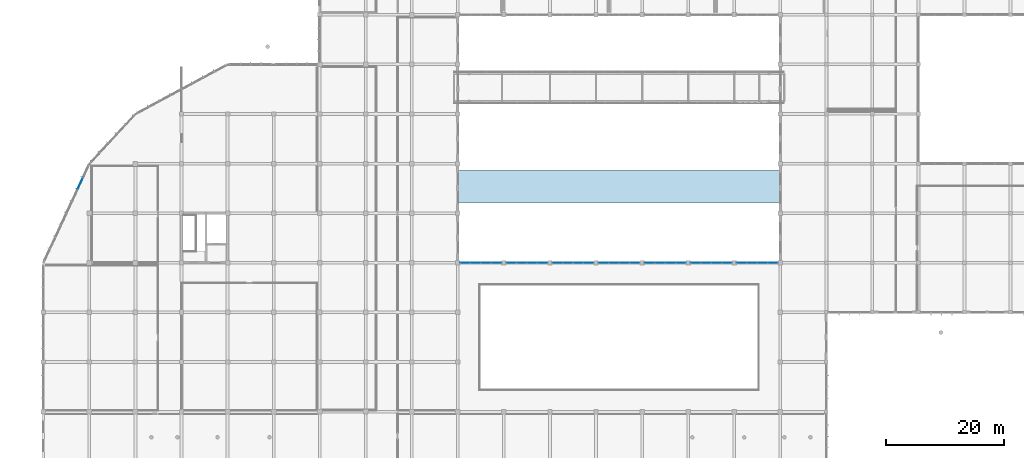
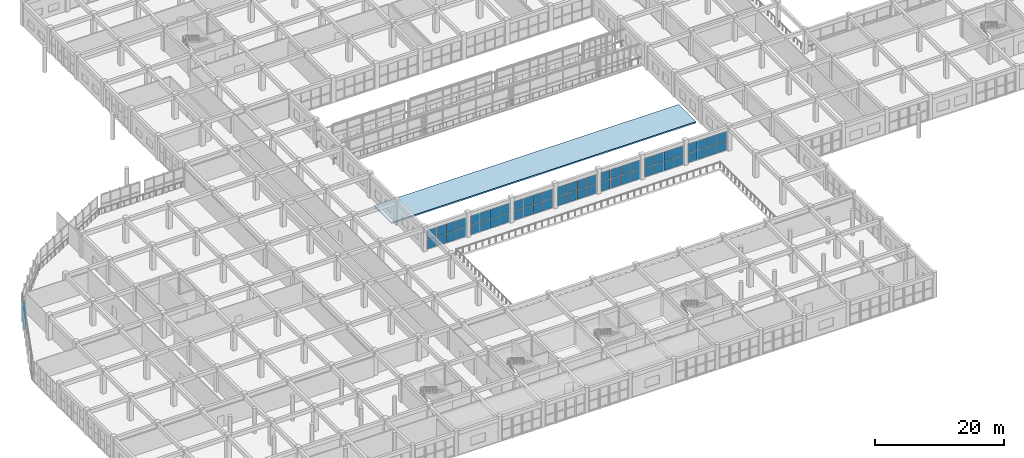
# One storey, part 132 of 167: 58 plates, 1 slab, 8 elements without a shape of their own.
"""IFC4 building model written with IfcOpenShell, lengths in metres."""

import ifcopenshell
import ifcopenshell.guid

model = None  # the IFC model being written
_history = None  # IfcOwnerHistory: only IFC2X3 demands one
_inside = {}  # id of a spatial element -> (the spatial element, [elements in it])
_under = {}  # id of a project, library or spatial element -> (it, [spatial elements below it])
_declared = {}  # id of a project -> (the project, [libraries it declares])
_typed = {}  # id of a type object -> (the type object, [elements of that type])
_made_of = {}  # id of a material, layer set ... -> (it, [elements and type objects made of it])


def new_model(schema):
    """Start an empty IFC model of exactly this schema.

    Asked for "IFC4X3", IfcOpenShell would pick the latest addendum, in which some entities
    have other attributes; the version numbers below select the first issue.
    IFC2X3 requires an IfcOwnerHistory on every rooted entity: one is made here for all.
    """
    global model, _history
    if schema == "IFC4X3":
        model = ifcopenshell.file(schema_version=(4, 3, 0, 0))
    else:
        model = ifcopenshell.file(schema=schema)
    _inside.clear()
    _under.clear()
    _declared.clear()
    _typed.clear()
    _made_of.clear()
    _history = None
    if model.schema == "IFC2X3":
        org = make("IfcOrganization", Name="unknown")
        user = make(
            "IfcPersonAndOrganization",
            ThePerson=make("IfcPerson", FamilyName="unknown"),
            TheOrganization=org,
        )
        app = make(
            "IfcApplication",
            ApplicationDeveloper=org,
            Version="unknown",
            ApplicationFullName="unknown",
            ApplicationIdentifier="unknown",
        )
        _history = make(
            "IfcOwnerHistory",
            OwningUser=user,
            OwningApplication=app,
            ChangeAction="ADDED",
            CreationDate=0,
        )
    return model


def make(cls, **values):
    """One entity of the class cls with the attributes given. An attribute that is None is left unset."""
    return model.create_entity(
        cls, **{name: value for name, value in values.items() if value is not None}
    )


def rooted(cls, **values):
    """An entity with a GlobalId (a new one), such as an element, a storey or a relation."""
    return make(cls, GlobalId=ifcopenshell.guid.new(), OwnerHistory=_history, **values)


def si_unit(unit_type, name, prefix=None):
    """IfcSIUnit, for example si_unit("LENGTHUNIT", "METRE", prefix="MILLI")."""
    return make("IfcSIUnit", UnitType=unit_type, Prefix=prefix, Name=name)


def assignment(units):
    """IfcUnitAssignment: the units of a project."""
    return None if units is None else make("IfcUnitAssignment", Units=units)


def point(xyz):
    """IfcCartesianPoint."""
    return None if xyz is None else make("IfcCartesianPoint", Coordinates=xyz)


def direction(xyz):
    """IfcDirection."""
    return None if xyz is None else make("IfcDirection", DirectionRatios=xyz)


def frame(location, z_axis=None, x_axis=None):
    """IfcAxis2Placement3D, a coordinate frame: its origin and axes. An axis left out is left unset."""
    return make(
        "IfcAxis2Placement3D",
        Location=point(location),
        Axis=direction(z_axis),
        RefDirection=direction(x_axis),
    )


def frame_2d(location, x_axis=None):
    """IfcAxis2Placement2D, a coordinate frame in the plane: its origin and x axis."""
    return make(
        "IfcAxis2Placement2D", Location=point(location), RefDirection=direction(x_axis)
    )


def origin():
    """The frame at (0, 0, 0) with its axes left unset."""
    return frame((0.0, 0.0, 0.0))


def origin_2d():
    """The frame at (0, 0) in the plane with its x axis left unset."""
    return frame_2d((0.0, 0.0))


def place(relative_to, where):
    """IfcLocalPlacement: puts the frame where relative to a parent placement (None: the world)."""
    return make(
        "IfcLocalPlacement", PlacementRelTo=relative_to, RelativePlacement=where
    )


def context(
    kind, dimensions, precision=None, world=None, true_north=None, identifier=None
):
    """IfcGeometricRepresentationContext, for example the 3D "Model" context."""
    return make(
        "IfcGeometricRepresentationContext",
        ContextIdentifier=identifier,
        ContextType=kind,
        CoordinateSpaceDimension=dimensions,
        Precision=precision,
        WorldCoordinateSystem=world,
        TrueNorth=true_north,
    )


def subcontext(parent, identifier, kind, view, scale=None):
    """IfcGeometricRepresentationSubContext, for example "Body" below "Model"."""
    return make(
        "IfcGeometricRepresentationSubContext",
        ContextIdentifier=identifier,
        ContextType=kind,
        ParentContext=parent,
        TargetScale=scale,
        TargetView=view,
    )


def project(units=None, contexts=None):
    """IfcProject with its units and contexts."""
    return rooted(
        "IfcProject",
        Name="project",
        RepresentationContexts=contexts,
        UnitsInContext=assignment(units),
    )


def spatial(cls, under=None, at=None, **own):
    """A site, building, storey or space (cls), placed at a placement, below another one or the project."""
    s = rooted(cls, ObjectPlacement=at, **own)
    if under is not None:
        _under.setdefault(under.id(), (under, []))[1].append(s)
    return s


def polyline(points):
    """IfcPolyline through the points."""
    return make("IfcPolyline", Points=[point(p) for p in points])


def profile(cls, at=None, kind="AREA", **sizes):
    """A parametric profile (cls). Its sizes go by their IFC names, for example OverallWidth=200.0."""
    return make(cls, ProfileType=kind, Position=at, **sizes)


def rectangle(**sizes):
    """IfcRectangleProfileDef."""
    return profile("IfcRectangleProfileDef", **sizes)


def outline(outer, holes=None, kind="AREA"):
    """IfcArbitraryClosedProfileDef: a profile drawn as a closed curve; with holes, ...WithVoids."""
    if holes is None:
        return make("IfcArbitraryClosedProfileDef", ProfileType=kind, OuterCurve=outer)
    return make(
        "IfcArbitraryProfileDefWithVoids",
        ProfileType=kind,
        OuterCurve=outer,
        InnerCurves=holes,
    )


def extrude(swept, where, along, depth):
    """IfcExtrudedAreaSolid: the profile swept, set in the frame where, extruded along a direction by depth."""
    return make(
        "IfcExtrudedAreaSolid",
        SweptArea=swept,
        Position=where,
        ExtrudedDirection=direction(along),
        Depth=depth,
    )


def shape(context_of_items, identifier, shape_type, items):
    """IfcShapeRepresentation: the items that make up one representation, for example the "Body"."""
    return make(
        "IfcShapeRepresentation",
        ContextOfItems=context_of_items,
        RepresentationIdentifier=identifier,
        RepresentationType=shape_type,
        Items=items,
    )


def material(Name=None, Category=None):
    """IfcMaterial."""
    return make("IfcMaterial", Name=Name, Category=Category)


def layer(
    of_material, thickness, ventilated=None, Name=None, Category=None, Priority=None
):
    """IfcMaterialLayer: one layer of a wall or slab, of a material (None: an air gap)."""
    return make(
        "IfcMaterialLayer",
        Material=of_material,
        LayerThickness=thickness,
        IsVentilated=ventilated,
        Name=Name,
        Category=Category,
        Priority=Priority,
    )


def layer_set(layers, Name=None):
    """IfcMaterialLayerSet."""
    return make("IfcMaterialLayerSet", MaterialLayers=layers, LayerSetName=Name)


def made_of(thing, what):
    """Note that an element or type object is made of a material, layer set ...; save() writes the relation."""
    if what is not None:
        _made_of.setdefault(what.id(), (what, []))[1].append(thing)
    return thing


def type_object(cls, material=None, **own):
    """A type object (cls), such as IfcWallType, which elements share."""
    return made_of(rooted(cls, **own), material)


def element(
    cls,
    number,
    at=None,
    inside=None,
    cuts=None,
    type_object=None,
    material=None,
    context=None,
    identifier="Body",
    shape_type=None,
    held_by="IfcProductDefinitionShape",
    body=None,
    shapes=None,
    **own,
):
    """One element of the class cls, such as IfcWall. Its Tag is "e" and its number.

    at: its placement. inside: the storey or other place that contains it. cuts: it is an
    opening in that element (IfcRelVoidsElement). A single representation is given by context,
    identifier, shape_type and body (its items); several are given by shapes. held_by: the class
    of the entity that holds the representations. save() writes the other relations.
    """
    e = rooted(cls, Tag="e%d" % number, ObjectPlacement=at, **own)
    if body is not None:
        shapes = [shape(context, identifier, shape_type, body)]
    if shapes is not None:
        e.Representation = make(held_by, Representations=shapes)
    if inside is not None:
        _inside.setdefault(inside.id(), (inside, []))[1].append(e)
    if cuts is not None:
        rooted(
            "IfcRelVoidsElement", RelatingBuildingElement=cuts, RelatedOpeningElement=e
        )
    if type_object is not None:
        _typed.setdefault(type_object.id(), (type_object, []))[1].append(e)
    return made_of(e, material)


def aggregate(whole, parts):
    """IfcRelAggregates: a whole, such as a stair, and the parts it consists of."""
    return rooted("IfcRelAggregates", RelatingObject=whole, RelatedObjects=parts)


def save(model, path):
    """Write the relations noted so far, then the file.

    IfcRelAggregates (storeys below a building ...), IfcRelContainedInSpatialStructure (elements
    in a storey), IfcRelDefinesByType, IfcRelAssociatesMaterial and IfcRelDeclares: one each for
    every whole, place, type object, material and project.
    """
    for whole, parts in _under.values():
        aggregate(whole, parts)
    for where, things in _inside.values():
        rooted(
            "IfcRelContainedInSpatialStructure",
            RelatedElements=things,
            RelatingStructure=where,
        )
    for kind, things in _typed.values():
        rooted("IfcRelDefinesByType", RelatedObjects=things, RelatingType=kind)
    for what, things in _made_of.values():
        rooted("IfcRelAssociatesMaterial", RelatedObjects=things, RelatingMaterial=what)
    for by, libraries in _declared.values():
        rooted("IfcRelDeclares", RelatingContext=by, RelatedDefinitions=libraries)
    model.write(path)


model = new_model("IFC4")

# Units and contexts
model_context = context("Model", 3, precision=1e-05, world=origin(), true_north=direction((0.0, 1.0)))
body_context = subcontext(model_context, "Body", "Model", "MODEL_VIEW")
ifc_project = project(units=[si_unit("LENGTHUNIT", "METRE"), si_unit("AREAUNIT", "SQUARE_METRE"), si_unit("VOLUMEUNIT", "CUBIC_METRE"), si_unit("PLANEANGLEUNIT", "RADIAN"), si_unit("MASSUNIT", "GRAM", prefix="KILO")], contexts=[model_context])

# Site, building, storey
site_placement = place(None, origin())
site = spatial("IfcSite", under=ifc_project, at=site_placement, CompositionType="ELEMENT")
building_placement = place(site_placement, origin())
building = spatial("IfcBuilding", under=site, at=building_placement, Name="Zizhar Promenade General Hospital", CompositionType="ELEMENT")
storey_placement = place(building_placement, frame((0.0, 0.0, 9.60009765625)))
storey = spatial("IfcBuildingStorey", under=building, at=storey_placement, Name="L02", CompositionType="ELEMENT", Elevation=9.60009765625)

# Curtain wall, plates
ifc_material_1 = material(Name="Anodised aluminium 6063-T6 and low-E glass", Category="aluminium")
ifc_layer_1 = layer(ifc_material_1, 0.159912109375)
ifc_layer_set_1 = layer_set([ifc_layer_1], Name="Anodised aluminium 6063-T6 and low-E glass")
curtain_wall_type_1 = type_object("IfcCurtainWallType", Name="CW-DT-MOD2", PredefinedType="NOTDEFINED", material=ifc_layer_set_1)
curtain_wall_1_placement = place(storey_placement, origin())
curtain_wall_1 = element("IfcCurtainWall", 1, at=curtain_wall_1_placement, inside=storey, type_object=curtain_wall_type_1, Name="West Diagnostic Arm Glazed Curtain Wall L02-NW1", PredefinedType="NOTDEFINED")
ifc_material_2 = material(Name="Low-E solar-control glass", Category="glass")
ifc_layer_2 = layer(ifc_material_2, 0.031982421875)
ifc_layer_set_2 = layer_set([ifc_layer_2], Name="Low-E solar-control glass")
plate_type = type_object("IfcPlateType", Name="CWP-GLZ-32", PredefinedType="CURTAIN_PANEL", material=ifc_layer_set_2)
plate_1_placement = place(storey_placement, frame((6.237548828125, 63.83447265625, 0.06005859375), z_axis=(0.0, 0.0, 1.0), x_axis=(0.421114945486, 0.907007278189, 0.0)))
plate_1 = element("IfcPlate", 2, at=plate_1_placement, type_object=plate_type, Name="CW-08 panel 7.1", PredefinedType="CURTAIN_PANEL", context=body_context, shape_type="SweptSolid", body=[
    extrude(rectangle(XDim=2.140380859375, YDim=0.031982421875, at=origin_2d()), origin(), (0.0, 0.0, 1.0), 1.77490234375),
])
plate_2_placement = place(storey_placement, frame((6.237548828125, 63.83447265625, 1.89501953125), z_axis=(0.0, 0.0, 1.0), x_axis=(0.421114945486, 0.907007278189, 0.0)))
plate_2 = element("IfcPlate", 3, at=plate_2_placement, type_object=plate_type, Name="CW-08 panel 7.2", PredefinedType="CURTAIN_PANEL", context=body_context, shape_type="SweptSolid", body=[
    extrude(rectangle(XDim=2.140380859375, YDim=0.031982421875, at=origin_2d()), origin(), (0.0, 0.0, 1.0), 1.77490234375),
])
aggregate(curtain_wall_1, [plate_1, plate_2])

ifc_material_3 = material(Name="Anodised aluminium 6063-T6 and low-E glass", Category="aluminium")
ifc_layer_3 = layer(ifc_material_3, 0.159912109375)
ifc_layer_set_3 = layer_set([ifc_layer_3], Name="Anodised aluminium 6063-T6 and low-E glass")
curtain_wall_type_2 = type_object("IfcCurtainWallType", Name="CW-HALL-N", PredefinedType="NOTDEFINED", material=ifc_layer_set_3)
curtain_wall_2_placement = place(storey_placement, origin())
curtain_wall_2 = element("IfcCurtainWall", 4, at=curtain_wall_2_placement, inside=storey, type_object=curtain_wall_type_2, Name="Main Hall Courtyard Curtain Wall L02-9", PredefinedType="NOTDEFINED")
plate_3_placement = place(storey_placement, frame((71.465087890625, 50.39990234375, 0.06005859375), z_axis=(0.0, 0.0, 1.0), x_axis=(1.0, 0.0, 0.0)))
plate_3 = element("IfcPlate", 5, at=plate_3_placement, type_object=plate_type, Name="CW-02 panel 1.1", PredefinedType="CURTAIN_PANEL", context=body_context, shape_type="SweptSolid", body=[
    extrude(rectangle(XDim=1.64990234375, YDim=0.031982421875, at=origin_2d()), origin(), (0.0, 0.0, 1.0), 1.77490234375),
])
plate_4_placement = place(storey_placement, frame((71.465087890625, 50.39990234375, 1.89501953125), z_axis=(0.0, 0.0, 1.0), x_axis=(1.0, 0.0, 0.0)))
plate_4 = element("IfcPlate", 6, at=plate_4_placement, type_object=plate_type, Name="CW-02 panel 1.2", PredefinedType="CURTAIN_PANEL", context=body_context, shape_type="SweptSolid", body=[
    extrude(rectangle(XDim=1.64990234375, YDim=0.031982421875, at=origin_2d()), origin(), (0.0, 0.0, 1.0), 1.77490234375),
])
plate_5_placement = place(storey_placement, frame((73.215087890625, 50.39990234375, 0.06005859375), z_axis=(0.0, 0.0, 1.0), x_axis=(1.0, 0.0, 0.0)))
plate_5 = element("IfcPlate", 7, at=plate_5_placement, type_object=plate_type, Name="CW-02 panel 2.1", PredefinedType="CURTAIN_PANEL", context=body_context, shape_type="SweptSolid", body=[
    extrude(rectangle(XDim=1.68994140625, YDim=0.031982421875, at=origin_2d()), origin(), (0.0, 0.0, 1.0), 1.77490234375),
])
plate_6_placement = place(storey_placement, frame((73.215087890625, 50.39990234375, 1.89501953125), z_axis=(0.0, 0.0, 1.0), x_axis=(1.0, 0.0, 0.0)))
plate_6 = element("IfcPlate", 8, at=plate_6_placement, type_object=plate_type, Name="CW-02 panel 2.2", PredefinedType="CURTAIN_PANEL", context=body_context, shape_type="SweptSolid", body=[
    extrude(rectangle(XDim=1.68994140625, YDim=0.031982421875, at=origin_2d()), origin(), (0.0, 0.0, 1.0), 1.77490234375),
])
plate_7_placement = place(storey_placement, frame((74.985107421875, 50.39990234375, 0.06005859375), z_axis=(0.0, 0.0, 1.0), x_axis=(1.0, 0.0, 0.0)))
plate_7 = element("IfcPlate", 9, at=plate_7_placement, type_object=plate_type, Name="CW-02 panel 3.1", PredefinedType="CURTAIN_PANEL", context=body_context, shape_type="SweptSolid", body=[
    extrude(rectangle(XDim=1.68994140625, YDim=0.031982421875, at=origin_2d()), origin(), (0.0, 0.0, 1.0), 1.77490234375),
])
plate_8_placement = place(storey_placement, frame((74.985107421875, 50.39990234375, 1.89501953125), z_axis=(0.0, 0.0, 1.0), x_axis=(1.0, 0.0, 0.0)))
plate_8 = element("IfcPlate", 10, at=plate_8_placement, type_object=plate_type, Name="CW-02 panel 3.2", PredefinedType="CURTAIN_PANEL", context=body_context, shape_type="SweptSolid", body=[
    extrude(rectangle(XDim=1.68994140625, YDim=0.031982421875, at=origin_2d()), origin(), (0.0, 0.0, 1.0), 1.77490234375),
])
plate_9_placement = place(storey_placement, frame((76.735107421875, 50.39990234375, 0.06005859375), z_axis=(0.0, 0.0, 1.0), x_axis=(1.0, 0.0, 0.0)))
plate_9 = element("IfcPlate", 11, at=plate_9_placement, type_object=plate_type, Name="CW-02 panel 4.1", PredefinedType="CURTAIN_PANEL", context=body_context, shape_type="SweptSolid", body=[
    extrude(rectangle(XDim=1.64990234375, YDim=0.031982421875, at=origin_2d()), origin(), (0.0, 0.0, 1.0), 1.77490234375),
])
plate_10_placement = place(storey_placement, frame((76.735107421875, 50.39990234375, 1.89501953125), z_axis=(0.0, 0.0, 1.0), x_axis=(1.0, 0.0, 0.0)))
plate_10 = element("IfcPlate", 12, at=plate_10_placement, type_object=plate_type, Name="CW-02 panel 4.2", PredefinedType="CURTAIN_PANEL", context=body_context, shape_type="SweptSolid", body=[
    extrude(rectangle(XDim=1.64990234375, YDim=0.031982421875, at=origin_2d()), origin(), (0.0, 0.0, 1.0), 1.77490234375),
])
aggregate(curtain_wall_2, [plate_3, plate_4, plate_5, plate_6, plate_7, plate_8, plate_9, plate_10])

curtain_wall_3_placement = place(storey_placement, origin())
curtain_wall_3 = element("IfcCurtainWall", 13, at=curtain_wall_3_placement, inside=storey, type_object=curtain_wall_type_2, Name="Main Hall Courtyard Curtain Wall L02-10", PredefinedType="NOTDEFINED")
plate_11_placement = place(storey_placement, frame((79.264892578125, 50.39990234375, 0.06005859375), z_axis=(0.0, 0.0, 1.0), x_axis=(1.0, 0.0, 0.0)))
plate_11 = element("IfcPlate", 14, at=plate_11_placement, type_object=plate_type, Name="CW-02 panel 1.1", PredefinedType="CURTAIN_PANEL", context=body_context, shape_type="SweptSolid", body=[
    extrude(rectangle(XDim=1.64990234375, YDim=0.031982421875, at=origin_2d()), origin(), (0.0, 0.0, 1.0), 1.77490234375),
])
plate_12_placement = place(storey_placement, frame((79.264892578125, 50.39990234375, 1.89501953125), z_axis=(0.0, 0.0, 1.0), x_axis=(1.0, 0.0, 0.0)))
plate_12 = element("IfcPlate", 15, at=plate_12_placement, type_object=plate_type, Name="CW-02 panel 1.2", PredefinedType="CURTAIN_PANEL", context=body_context, shape_type="SweptSolid", body=[
    extrude(rectangle(XDim=1.64990234375, YDim=0.031982421875, at=origin_2d()), origin(), (0.0, 0.0, 1.0), 1.77490234375),
])
plate_13_placement = place(storey_placement, frame((81.014892578125, 50.39990234375, 0.06005859375), z_axis=(0.0, 0.0, 1.0), x_axis=(1.0, 0.0, 0.0)))
plate_13 = element("IfcPlate", 16, at=plate_13_placement, type_object=plate_type, Name="CW-02 panel 2.1", PredefinedType="CURTAIN_PANEL", context=body_context, shape_type="SweptSolid", body=[
    extrude(rectangle(XDim=1.68994140625, YDim=0.031982421875, at=origin_2d()), origin(), (0.0, 0.0, 1.0), 1.77490234375),
])
plate_14_placement = place(storey_placement, frame((81.014892578125, 50.39990234375, 1.89501953125), z_axis=(0.0, 0.0, 1.0), x_axis=(1.0, 0.0, 0.0)))
plate_14 = element("IfcPlate", 17, at=plate_14_placement, type_object=plate_type, Name="CW-02 panel 2.2", PredefinedType="CURTAIN_PANEL", context=body_context, shape_type="SweptSolid", body=[
    extrude(rectangle(XDim=1.68994140625, YDim=0.031982421875, at=origin_2d()), origin(), (0.0, 0.0, 1.0), 1.77490234375),
])
plate_15_placement = place(storey_placement, frame((82.784912109375, 50.39990234375, 0.06005859375), z_axis=(0.0, 0.0, 1.0), x_axis=(1.0, 0.0, 0.0)))
plate_15 = element("IfcPlate", 18, at=plate_15_placement, type_object=plate_type, Name="CW-02 panel 3.1", PredefinedType="CURTAIN_PANEL", context=body_context, shape_type="SweptSolid", body=[
    extrude(rectangle(XDim=1.68994140625, YDim=0.031982421875, at=origin_2d()), origin(), (0.0, 0.0, 1.0), 1.77490234375),
])
plate_16_placement = place(storey_placement, frame((82.784912109375, 50.39990234375, 1.89501953125), z_axis=(0.0, 0.0, 1.0), x_axis=(1.0, 0.0, 0.0)))
plate_16 = element("IfcPlate", 19, at=plate_16_placement, type_object=plate_type, Name="CW-02 panel 3.2", PredefinedType="CURTAIN_PANEL", context=body_context, shape_type="SweptSolid", body=[
    extrude(rectangle(XDim=1.68994140625, YDim=0.031982421875, at=origin_2d()), origin(), (0.0, 0.0, 1.0), 1.77490234375),
])
plate_17_placement = place(storey_placement, frame((84.534912109375, 50.39990234375, 0.06005859375), z_axis=(0.0, 0.0, 1.0), x_axis=(1.0, 0.0, 0.0)))
plate_17 = element("IfcPlate", 20, at=plate_17_placement, type_object=plate_type, Name="CW-02 panel 4.1", PredefinedType="CURTAIN_PANEL", context=body_context, shape_type="SweptSolid", body=[
    extrude(rectangle(XDim=1.64990234375, YDim=0.031982421875, at=origin_2d()), origin(), (0.0, 0.0, 1.0), 1.77490234375),
])
plate_18_placement = place(storey_placement, frame((84.534912109375, 50.39990234375, 1.89501953125), z_axis=(0.0, 0.0, 1.0), x_axis=(1.0, 0.0, 0.0)))
plate_18 = element("IfcPlate", 21, at=plate_18_placement, type_object=plate_type, Name="CW-02 panel 4.2", PredefinedType="CURTAIN_PANEL", context=body_context, shape_type="SweptSolid", body=[
    extrude(rectangle(XDim=1.64990234375, YDim=0.031982421875, at=origin_2d()), origin(), (0.0, 0.0, 1.0), 1.77490234375),
])
aggregate(curtain_wall_3, [plate_11, plate_12, plate_13, plate_14, plate_15, plate_16, plate_17, plate_18])

curtain_wall_4_placement = place(storey_placement, origin())
curtain_wall_4 = element("IfcCurtainWall", 22, at=curtain_wall_4_placement, inside=storey, type_object=curtain_wall_type_2, Name="Main Hall Courtyard Curtain Wall L02-11", PredefinedType="NOTDEFINED")
plate_19_placement = place(storey_placement, frame((87.06494140625, 50.39990234375, 0.06005859375), z_axis=(0.0, 0.0, 1.0), x_axis=(1.0, 0.0, 0.0)))
plate_19 = element("IfcPlate", 23, at=plate_19_placement, type_object=plate_type, Name="CW-02 panel 1.1", PredefinedType="CURTAIN_PANEL", context=body_context, shape_type="SweptSolid", body=[
    extrude(rectangle(XDim=1.64990234375, YDim=0.031982421875, at=origin_2d()), origin(), (0.0, 0.0, 1.0), 1.77490234375),
])
plate_20_placement = place(storey_placement, frame((87.06494140625, 50.39990234375, 1.89501953125), z_axis=(0.0, 0.0, 1.0), x_axis=(1.0, 0.0, 0.0)))
plate_20 = element("IfcPlate", 24, at=plate_20_placement, type_object=plate_type, Name="CW-02 panel 1.2", PredefinedType="CURTAIN_PANEL", context=body_context, shape_type="SweptSolid", body=[
    extrude(rectangle(XDim=1.64990234375, YDim=0.031982421875, at=origin_2d()), origin(), (0.0, 0.0, 1.0), 1.77490234375),
])
plate_21_placement = place(storey_placement, frame((88.81494140625, 50.39990234375, 0.06005859375), z_axis=(0.0, 0.0, 1.0), x_axis=(1.0, 0.0, 0.0)))
plate_21 = element("IfcPlate", 25, at=plate_21_placement, type_object=plate_type, Name="CW-02 panel 2.1", PredefinedType="CURTAIN_PANEL", context=body_context, shape_type="SweptSolid", body=[
    extrude(rectangle(XDim=1.68994140625, YDim=0.031982421875, at=origin_2d()), origin(), (0.0, 0.0, 1.0), 1.77490234375),
])
plate_22_placement = place(storey_placement, frame((88.81494140625, 50.39990234375, 1.89501953125), z_axis=(0.0, 0.0, 1.0), x_axis=(1.0, 0.0, 0.0)))
plate_22 = element("IfcPlate", 26, at=plate_22_placement, type_object=plate_type, Name="CW-02 panel 2.2", PredefinedType="CURTAIN_PANEL", context=body_context, shape_type="SweptSolid", body=[
    extrude(rectangle(XDim=1.68994140625, YDim=0.031982421875, at=origin_2d()), origin(), (0.0, 0.0, 1.0), 1.77490234375),
])
plate_23_placement = place(storey_placement, frame((90.5849609375, 50.39990234375, 0.06005859375), z_axis=(0.0, 0.0, 1.0), x_axis=(1.0, 0.0, 0.0)))
plate_23 = element("IfcPlate", 27, at=plate_23_placement, type_object=plate_type, Name="CW-02 panel 3.1", PredefinedType="CURTAIN_PANEL", context=body_context, shape_type="SweptSolid", body=[
    extrude(rectangle(XDim=1.68994140625, YDim=0.031982421875, at=origin_2d()), origin(), (0.0, 0.0, 1.0), 1.77490234375),
])
plate_24_placement = place(storey_placement, frame((90.5849609375, 50.39990234375, 1.89501953125), z_axis=(0.0, 0.0, 1.0), x_axis=(1.0, 0.0, 0.0)))
plate_24 = element("IfcPlate", 28, at=plate_24_placement, type_object=plate_type, Name="CW-02 panel 3.2", PredefinedType="CURTAIN_PANEL", context=body_context, shape_type="SweptSolid", body=[
    extrude(rectangle(XDim=1.68994140625, YDim=0.031982421875, at=origin_2d()), origin(), (0.0, 0.0, 1.0), 1.77490234375),
])
plate_25_placement = place(storey_placement, frame((92.3349609375, 50.39990234375, 0.06005859375), z_axis=(0.0, 0.0, 1.0), x_axis=(1.0, 0.0, 0.0)))
plate_25 = element("IfcPlate", 29, at=plate_25_placement, type_object=plate_type, Name="CW-02 panel 4.1", PredefinedType="CURTAIN_PANEL", context=body_context, shape_type="SweptSolid", body=[
    extrude(rectangle(XDim=1.64990234375, YDim=0.031982421875, at=origin_2d()), origin(), (0.0, 0.0, 1.0), 1.77490234375),
])
plate_26_placement = place(storey_placement, frame((92.3349609375, 50.39990234375, 1.89501953125), z_axis=(0.0, 0.0, 1.0), x_axis=(1.0, 0.0, 0.0)))
plate_26 = element("IfcPlate", 30, at=plate_26_placement, type_object=plate_type, Name="CW-02 panel 4.2", PredefinedType="CURTAIN_PANEL", context=body_context, shape_type="SweptSolid", body=[
    extrude(rectangle(XDim=1.64990234375, YDim=0.031982421875, at=origin_2d()), origin(), (0.0, 0.0, 1.0), 1.77490234375),
])
aggregate(curtain_wall_4, [plate_19, plate_20, plate_21, plate_22, plate_23, plate_24, plate_25, plate_26])

curtain_wall_5_placement = place(storey_placement, origin())
curtain_wall_5 = element("IfcCurtainWall", 31, at=curtain_wall_5_placement, inside=storey, type_object=curtain_wall_type_2, Name="Main Hall Courtyard Curtain Wall L02-12", PredefinedType="NOTDEFINED")
plate_27_placement = place(storey_placement, frame((94.864990234375, 50.39990234375, 0.06005859375), z_axis=(0.0, 0.0, 1.0), x_axis=(1.0, 0.0, 0.0)))
plate_27 = element("IfcPlate", 32, at=plate_27_placement, type_object=plate_type, Name="CW-02 panel 1.1", PredefinedType="CURTAIN_PANEL", context=body_context, shape_type="SweptSolid", body=[
    extrude(rectangle(XDim=1.64990234375, YDim=0.031982421875, at=origin_2d()), origin(), (0.0, 0.0, 1.0), 1.77490234375),
])
plate_28_placement = place(storey_placement, frame((94.864990234375, 50.39990234375, 1.89501953125), z_axis=(0.0, 0.0, 1.0), x_axis=(1.0, 0.0, 0.0)))
plate_28 = element("IfcPlate", 33, at=plate_28_placement, type_object=plate_type, Name="CW-02 panel 1.2", PredefinedType="CURTAIN_PANEL", context=body_context, shape_type="SweptSolid", body=[
    extrude(rectangle(XDim=1.64990234375, YDim=0.031982421875, at=origin_2d()), origin(), (0.0, 0.0, 1.0), 1.77490234375),
])
plate_29_placement = place(storey_placement, frame((96.614990234375, 50.39990234375, 0.06005859375), z_axis=(0.0, 0.0, 1.0), x_axis=(1.0, 0.0, 0.0)))
plate_29 = element("IfcPlate", 34, at=plate_29_placement, type_object=plate_type, Name="CW-02 panel 2.1", PredefinedType="CURTAIN_PANEL", context=body_context, shape_type="SweptSolid", body=[
    extrude(rectangle(XDim=1.68994140625, YDim=0.031982421875, at=origin_2d()), origin(), (0.0, 0.0, 1.0), 1.77490234375),
])
plate_30_placement = place(storey_placement, frame((96.614990234375, 50.39990234375, 1.89501953125), z_axis=(0.0, 0.0, 1.0), x_axis=(1.0, 0.0, 0.0)))
plate_30 = element("IfcPlate", 35, at=plate_30_placement, type_object=plate_type, Name="CW-02 panel 2.2", PredefinedType="CURTAIN_PANEL", context=body_context, shape_type="SweptSolid", body=[
    extrude(rectangle(XDim=1.68994140625, YDim=0.031982421875, at=origin_2d()), origin(), (0.0, 0.0, 1.0), 1.77490234375),
])
plate_31_placement = place(storey_placement, frame((98.385009765625, 50.39990234375, 0.06005859375), z_axis=(0.0, 0.0, 1.0), x_axis=(1.0, 0.0, 0.0)))
plate_31 = element("IfcPlate", 36, at=plate_31_placement, type_object=plate_type, Name="CW-02 panel 3.1", PredefinedType="CURTAIN_PANEL", context=body_context, shape_type="SweptSolid", body=[
    extrude(rectangle(XDim=1.68994140625, YDim=0.031982421875, at=origin_2d()), origin(), (0.0, 0.0, 1.0), 1.77490234375),
])
plate_32_placement = place(storey_placement, frame((98.385009765625, 50.39990234375, 1.89501953125), z_axis=(0.0, 0.0, 1.0), x_axis=(1.0, 0.0, 0.0)))
plate_32 = element("IfcPlate", 37, at=plate_32_placement, type_object=plate_type, Name="CW-02 panel 3.2", PredefinedType="CURTAIN_PANEL", context=body_context, shape_type="SweptSolid", body=[
    extrude(rectangle(XDim=1.68994140625, YDim=0.031982421875, at=origin_2d()), origin(), (0.0, 0.0, 1.0), 1.77490234375),
])
plate_33_placement = place(storey_placement, frame((100.135009765625, 50.39990234375, 0.06005859375), z_axis=(0.0, 0.0, 1.0), x_axis=(1.0, 0.0, 0.0)))
plate_33 = element("IfcPlate", 38, at=plate_33_placement, type_object=plate_type, Name="CW-02 panel 4.1", PredefinedType="CURTAIN_PANEL", context=body_context, shape_type="SweptSolid", body=[
    extrude(rectangle(XDim=1.64990234375, YDim=0.031982421875, at=origin_2d()), origin(), (0.0, 0.0, 1.0), 1.77490234375),
])
plate_34_placement = place(storey_placement, frame((100.135009765625, 50.39990234375, 1.89501953125), z_axis=(0.0, 0.0, 1.0), x_axis=(1.0, 0.0, 0.0)))
plate_34 = element("IfcPlate", 39, at=plate_34_placement, type_object=plate_type, Name="CW-02 panel 4.2", PredefinedType="CURTAIN_PANEL", context=body_context, shape_type="SweptSolid", body=[
    extrude(rectangle(XDim=1.64990234375, YDim=0.031982421875, at=origin_2d()), origin(), (0.0, 0.0, 1.0), 1.77490234375),
])
aggregate(curtain_wall_5, [plate_27, plate_28, plate_29, plate_30, plate_31, plate_32, plate_33, plate_34])

curtain_wall_6_placement = place(storey_placement, origin())
curtain_wall_6 = element("IfcCurtainWall", 40, at=curtain_wall_6_placement, inside=storey, type_object=curtain_wall_type_2, Name="Main Hall Courtyard Curtain Wall L02-13", PredefinedType="NOTDEFINED")
plate_35_placement = place(storey_placement, frame((102.6650390625, 50.39990234375, 0.06005859375), z_axis=(0.0, 0.0, 1.0), x_axis=(1.0, 0.0, 0.0)))
plate_35 = element("IfcPlate", 41, at=plate_35_placement, type_object=plate_type, Name="CW-02 panel 1.1", PredefinedType="CURTAIN_PANEL", context=body_context, shape_type="SweptSolid", body=[
    extrude(rectangle(XDim=1.64990234375, YDim=0.031982421875, at=origin_2d()), origin(), (0.0, 0.0, 1.0), 1.77490234375),
])
plate_36_placement = place(storey_placement, frame((102.6650390625, 50.39990234375, 1.89501953125), z_axis=(0.0, 0.0, 1.0), x_axis=(1.0, 0.0, 0.0)))
plate_36 = element("IfcPlate", 42, at=plate_36_placement, type_object=plate_type, Name="CW-02 panel 1.2", PredefinedType="CURTAIN_PANEL", context=body_context, shape_type="SweptSolid", body=[
    extrude(rectangle(XDim=1.64990234375, YDim=0.031982421875, at=origin_2d()), origin(), (0.0, 0.0, 1.0), 1.77490234375),
])
plate_37_placement = place(storey_placement, frame((104.4150390625, 50.39990234375, 0.06005859375), z_axis=(0.0, 0.0, 1.0), x_axis=(1.0, 0.0, 0.0)))
plate_37 = element("IfcPlate", 43, at=plate_37_placement, type_object=plate_type, Name="CW-02 panel 2.1", PredefinedType="CURTAIN_PANEL", context=body_context, shape_type="SweptSolid", body=[
    extrude(rectangle(XDim=1.68994140625, YDim=0.031982421875, at=origin_2d()), origin(), (0.0, 0.0, 1.0), 1.77490234375),
])
plate_38_placement = place(storey_placement, frame((104.4150390625, 50.39990234375, 1.89501953125), z_axis=(0.0, 0.0, 1.0), x_axis=(1.0, 0.0, 0.0)))
plate_38 = element("IfcPlate", 44, at=plate_38_placement, type_object=plate_type, Name="CW-02 panel 2.2", PredefinedType="CURTAIN_PANEL", context=body_context, shape_type="SweptSolid", body=[
    extrude(rectangle(XDim=1.68994140625, YDim=0.031982421875, at=origin_2d()), origin(), (0.0, 0.0, 1.0), 1.77490234375),
])
plate_39_placement = place(storey_placement, frame((106.18505859375, 50.39990234375, 0.06005859375), z_axis=(0.0, 0.0, 1.0), x_axis=(1.0, 0.0, 0.0)))
plate_39 = element("IfcPlate", 45, at=plate_39_placement, type_object=plate_type, Name="CW-02 panel 3.1", PredefinedType="CURTAIN_PANEL", context=body_context, shape_type="SweptSolid", body=[
    extrude(rectangle(XDim=1.68994140625, YDim=0.031982421875, at=origin_2d()), origin(), (0.0, 0.0, 1.0), 1.77490234375),
])
plate_40_placement = place(storey_placement, frame((106.18505859375, 50.39990234375, 1.89501953125), z_axis=(0.0, 0.0, 1.0), x_axis=(1.0, 0.0, 0.0)))
plate_40 = element("IfcPlate", 46, at=plate_40_placement, type_object=plate_type, Name="CW-02 panel 3.2", PredefinedType="CURTAIN_PANEL", context=body_context, shape_type="SweptSolid", body=[
    extrude(rectangle(XDim=1.68994140625, YDim=0.031982421875, at=origin_2d()), origin(), (0.0, 0.0, 1.0), 1.77490234375),
])
plate_41_placement = place(storey_placement, frame((107.93505859375, 50.39990234375, 0.06005859375), z_axis=(0.0, 0.0, 1.0), x_axis=(1.0, 0.0, 0.0)))
plate_41 = element("IfcPlate", 47, at=plate_41_placement, type_object=plate_type, Name="CW-02 panel 4.1", PredefinedType="CURTAIN_PANEL", context=body_context, shape_type="SweptSolid", body=[
    extrude(rectangle(XDim=1.64990234375, YDim=0.031982421875, at=origin_2d()), origin(), (0.0, 0.0, 1.0), 1.77490234375),
])
plate_42_placement = place(storey_placement, frame((107.93505859375, 50.39990234375, 1.89501953125), z_axis=(0.0, 0.0, 1.0), x_axis=(1.0, 0.0, 0.0)))
plate_42 = element("IfcPlate", 48, at=plate_42_placement, type_object=plate_type, Name="CW-02 panel 4.2", PredefinedType="CURTAIN_PANEL", context=body_context, shape_type="SweptSolid", body=[
    extrude(rectangle(XDim=1.64990234375, YDim=0.031982421875, at=origin_2d()), origin(), (0.0, 0.0, 1.0), 1.77490234375),
])
aggregate(curtain_wall_6, [plate_35, plate_36, plate_37, plate_38, plate_39, plate_40, plate_41, plate_42])

curtain_wall_7_placement = place(storey_placement, origin())
curtain_wall_7 = element("IfcCurtainWall", 49, at=curtain_wall_7_placement, inside=storey, type_object=curtain_wall_type_2, Name="Main Hall Courtyard Curtain Wall L02-14", PredefinedType="NOTDEFINED")
plate_43_placement = place(storey_placement, frame((110.465087890625, 50.39990234375, 0.06005859375), z_axis=(0.0, 0.0, 1.0), x_axis=(1.0, 0.0, 0.0)))
plate_43 = element("IfcPlate", 50, at=plate_43_placement, type_object=plate_type, Name="CW-02 panel 1.1", PredefinedType="CURTAIN_PANEL", context=body_context, shape_type="SweptSolid", body=[
    extrude(rectangle(XDim=1.64990234375, YDim=0.031982421875, at=origin_2d()), origin(), (0.0, 0.0, 1.0), 1.77490234375),
])
plate_44_placement = place(storey_placement, frame((110.465087890625, 50.39990234375, 1.89501953125), z_axis=(0.0, 0.0, 1.0), x_axis=(1.0, 0.0, 0.0)))
plate_44 = element("IfcPlate", 51, at=plate_44_placement, type_object=plate_type, Name="CW-02 panel 1.2", PredefinedType="CURTAIN_PANEL", context=body_context, shape_type="SweptSolid", body=[
    extrude(rectangle(XDim=1.64990234375, YDim=0.031982421875, at=origin_2d()), origin(), (0.0, 0.0, 1.0), 1.77490234375),
])
plate_45_placement = place(storey_placement, frame((112.215087890625, 50.39990234375, 0.06005859375), z_axis=(0.0, 0.0, 1.0), x_axis=(1.0, 0.0, 0.0)))
plate_45 = element("IfcPlate", 52, at=plate_45_placement, type_object=plate_type, Name="CW-02 panel 2.1", PredefinedType="CURTAIN_PANEL", context=body_context, shape_type="SweptSolid", body=[
    extrude(rectangle(XDim=1.68994140625, YDim=0.031982421875, at=origin_2d()), origin(), (0.0, 0.0, 1.0), 1.77490234375),
])
plate_46_placement = place(storey_placement, frame((112.215087890625, 50.39990234375, 1.89501953125), z_axis=(0.0, 0.0, 1.0), x_axis=(1.0, 0.0, 0.0)))
plate_46 = element("IfcPlate", 53, at=plate_46_placement, type_object=plate_type, Name="CW-02 panel 2.2", PredefinedType="CURTAIN_PANEL", context=body_context, shape_type="SweptSolid", body=[
    extrude(rectangle(XDim=1.68994140625, YDim=0.031982421875, at=origin_2d()), origin(), (0.0, 0.0, 1.0), 1.77490234375),
])
plate_47_placement = place(storey_placement, frame((113.985107421875, 50.39990234375, 0.06005859375), z_axis=(0.0, 0.0, 1.0), x_axis=(1.0, 0.0, 0.0)))
plate_47 = element("IfcPlate", 54, at=plate_47_placement, type_object=plate_type, Name="CW-02 panel 3.1", PredefinedType="CURTAIN_PANEL", context=body_context, shape_type="SweptSolid", body=[
    extrude(rectangle(XDim=1.68994140625, YDim=0.031982421875, at=origin_2d()), origin(), (0.0, 0.0, 1.0), 1.77490234375),
])
plate_48_placement = place(storey_placement, frame((113.985107421875, 50.39990234375, 1.89501953125), z_axis=(0.0, 0.0, 1.0), x_axis=(1.0, 0.0, 0.0)))
plate_48 = element("IfcPlate", 55, at=plate_48_placement, type_object=plate_type, Name="CW-02 panel 3.2", PredefinedType="CURTAIN_PANEL", context=body_context, shape_type="SweptSolid", body=[
    extrude(rectangle(XDim=1.68994140625, YDim=0.031982421875, at=origin_2d()), origin(), (0.0, 0.0, 1.0), 1.77490234375),
])
plate_49_placement = place(storey_placement, frame((115.735107421875, 50.39990234375, 0.06005859375), z_axis=(0.0, 0.0, 1.0), x_axis=(1.0, 0.0, 0.0)))
plate_49 = element("IfcPlate", 56, at=plate_49_placement, type_object=plate_type, Name="CW-02 panel 4.1", PredefinedType="CURTAIN_PANEL", context=body_context, shape_type="SweptSolid", body=[
    extrude(rectangle(XDim=1.64990234375, YDim=0.031982421875, at=origin_2d()), origin(), (0.0, 0.0, 1.0), 1.77490234375),
])
plate_50_placement = place(storey_placement, frame((115.735107421875, 50.39990234375, 1.89501953125), z_axis=(0.0, 0.0, 1.0), x_axis=(1.0, 0.0, 0.0)))
plate_50 = element("IfcPlate", 57, at=plate_50_placement, type_object=plate_type, Name="CW-02 panel 4.2", PredefinedType="CURTAIN_PANEL", context=body_context, shape_type="SweptSolid", body=[
    extrude(rectangle(XDim=1.64990234375, YDim=0.031982421875, at=origin_2d()), origin(), (0.0, 0.0, 1.0), 1.77490234375),
])
aggregate(curtain_wall_7, [plate_43, plate_44, plate_45, plate_46, plate_47, plate_48, plate_49, plate_50])

curtain_wall_8_placement = place(storey_placement, origin())
curtain_wall_8 = element("IfcCurtainWall", 58, at=curtain_wall_8_placement, inside=storey, type_object=curtain_wall_type_2, Name="Main Hall Courtyard Curtain Wall L02-15", PredefinedType="NOTDEFINED")
plate_51_placement = place(storey_placement, frame((118.264892578125, 50.39990234375, 0.06005859375), z_axis=(0.0, 0.0, 1.0), x_axis=(1.0, 0.0, 0.0)))
plate_51 = element("IfcPlate", 59, at=plate_51_placement, type_object=plate_type, Name="CW-02 panel 1.1", PredefinedType="CURTAIN_PANEL", context=body_context, shape_type="SweptSolid", body=[
    extrude(rectangle(XDim=1.64990234375, YDim=0.031982421875, at=origin_2d()), origin(), (0.0, 0.0, 1.0), 1.77490234375),
])
plate_52_placement = place(storey_placement, frame((118.264892578125, 50.39990234375, 1.89501953125), z_axis=(0.0, 0.0, 1.0), x_axis=(1.0, 0.0, 0.0)))
plate_52 = element("IfcPlate", 60, at=plate_52_placement, type_object=plate_type, Name="CW-02 panel 1.2", PredefinedType="CURTAIN_PANEL", context=body_context, shape_type="SweptSolid", body=[
    extrude(rectangle(XDim=1.64990234375, YDim=0.031982421875, at=origin_2d()), origin(), (0.0, 0.0, 1.0), 1.77490234375),
])
plate_53_placement = place(storey_placement, frame((120.014892578125, 50.39990234375, 0.06005859375), z_axis=(0.0, 0.0, 1.0), x_axis=(1.0, 0.0, 0.0)))
plate_53 = element("IfcPlate", 61, at=plate_53_placement, type_object=plate_type, Name="CW-02 panel 2.1", PredefinedType="CURTAIN_PANEL", context=body_context, shape_type="SweptSolid", body=[
    extrude(rectangle(XDim=1.68994140625, YDim=0.031982421875, at=origin_2d()), origin(), (0.0, 0.0, 1.0), 1.77490234375),
])
plate_54_placement = place(storey_placement, frame((120.014892578125, 50.39990234375, 1.89501953125), z_axis=(0.0, 0.0, 1.0), x_axis=(1.0, 0.0, 0.0)))
plate_54 = element("IfcPlate", 62, at=plate_54_placement, type_object=plate_type, Name="CW-02 panel 2.2", PredefinedType="CURTAIN_PANEL", context=body_context, shape_type="SweptSolid", body=[
    extrude(rectangle(XDim=1.68994140625, YDim=0.031982421875, at=origin_2d()), origin(), (0.0, 0.0, 1.0), 1.77490234375),
])
plate_55_placement = place(storey_placement, frame((121.784912109375, 50.39990234375, 0.06005859375), z_axis=(0.0, 0.0, 1.0), x_axis=(1.0, 0.0, 0.0)))
plate_55 = element("IfcPlate", 63, at=plate_55_placement, type_object=plate_type, Name="CW-02 panel 3.1", PredefinedType="CURTAIN_PANEL", context=body_context, shape_type="SweptSolid", body=[
    extrude(rectangle(XDim=1.68994140625, YDim=0.031982421875, at=origin_2d()), origin(), (0.0, 0.0, 1.0), 1.77490234375),
])
plate_56_placement = place(storey_placement, frame((121.784912109375, 50.39990234375, 1.89501953125), z_axis=(0.0, 0.0, 1.0), x_axis=(1.0, 0.0, 0.0)))
plate_56 = element("IfcPlate", 64, at=plate_56_placement, type_object=plate_type, Name="CW-02 panel 3.2", PredefinedType="CURTAIN_PANEL", context=body_context, shape_type="SweptSolid", body=[
    extrude(rectangle(XDim=1.68994140625, YDim=0.031982421875, at=origin_2d()), origin(), (0.0, 0.0, 1.0), 1.77490234375),
])
plate_57_placement = place(storey_placement, frame((123.534912109375, 50.39990234375, 0.06005859375), z_axis=(0.0, 0.0, 1.0), x_axis=(1.0, 0.0, 0.0)))
plate_57 = element("IfcPlate", 65, at=plate_57_placement, type_object=plate_type, Name="CW-02 panel 4.1", PredefinedType="CURTAIN_PANEL", context=body_context, shape_type="SweptSolid", body=[
    extrude(rectangle(XDim=1.64990234375, YDim=0.031982421875, at=origin_2d()), origin(), (0.0, 0.0, 1.0), 1.77490234375),
])
plate_58_placement = place(storey_placement, frame((123.534912109375, 50.39990234375, 1.89501953125), z_axis=(0.0, 0.0, 1.0), x_axis=(1.0, 0.0, 0.0)))
plate_58 = element("IfcPlate", 66, at=plate_58_placement, type_object=plate_type, Name="CW-02 panel 4.2", PredefinedType="CURTAIN_PANEL", context=body_context, shape_type="SweptSolid", body=[
    extrude(rectangle(XDim=1.64990234375, YDim=0.031982421875, at=origin_2d()), origin(), (0.0, 0.0, 1.0), 1.77490234375),
])
aggregate(curtain_wall_8, [plate_51, plate_52, plate_53, plate_54, plate_55, plate_56, plate_57, plate_58])

# Slab
ifc_material_4 = material(Name="Concrete C35/45", Category="concrete")
ifc_layer_4 = layer(ifc_material_4, 0.260009765625)
ifc_layer_set_4 = layer_set([ifc_layer_4], Name="Concrete C35/45")
slab_type = type_object("IfcSlabType", Name="SLB-ROOF-260", PredefinedType="ROOF", material=ifc_layer_set_4)
slab_placement = place(storey_placement, frame((0.0, 0.0, -1.16015625)))
element("IfcSlab", 67, at=slab_placement, inside=storey, type_object=slab_type, Name="Courtyard Clinical Skybridge Level L01 Roof Slab", PredefinedType="ROOF", context=body_context, shape_type="SweptSolid", body=[
    extrude(outline(polyline([(70.199951171875, 60.60009765625), (124.800048828125, 60.60009765625), (124.800048828125, 66.0), (70.199951171875, 66.0), (70.199951171875, 60.60009765625)])), origin(), (0.0, 0.0, 1.0), 0.260009765625),
])

save(model, "model.ifc")
